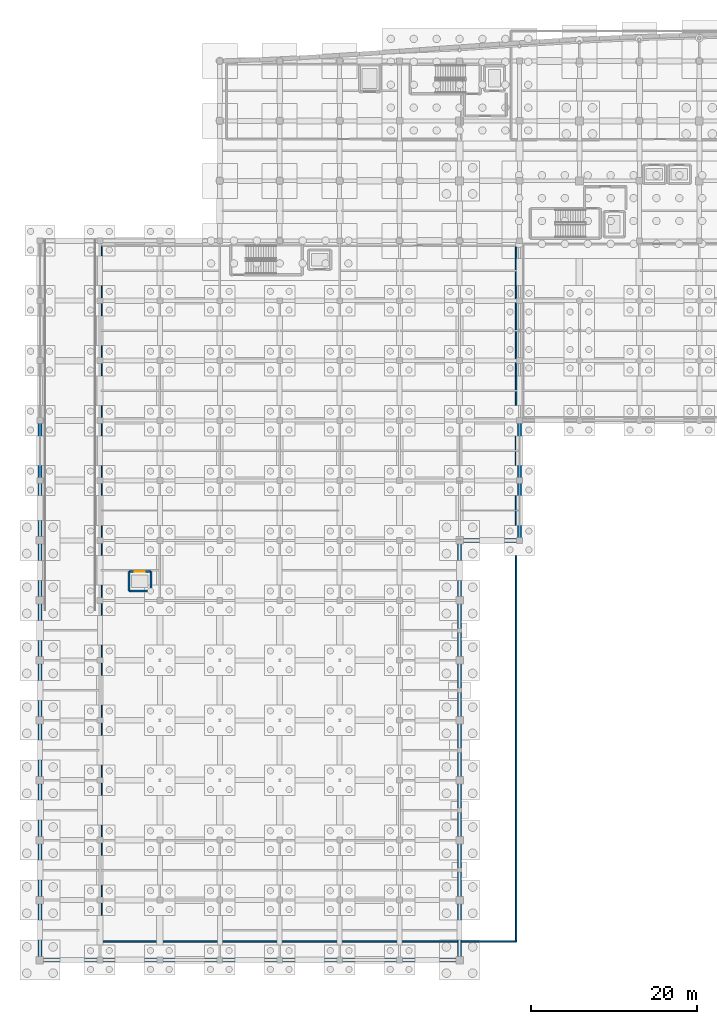
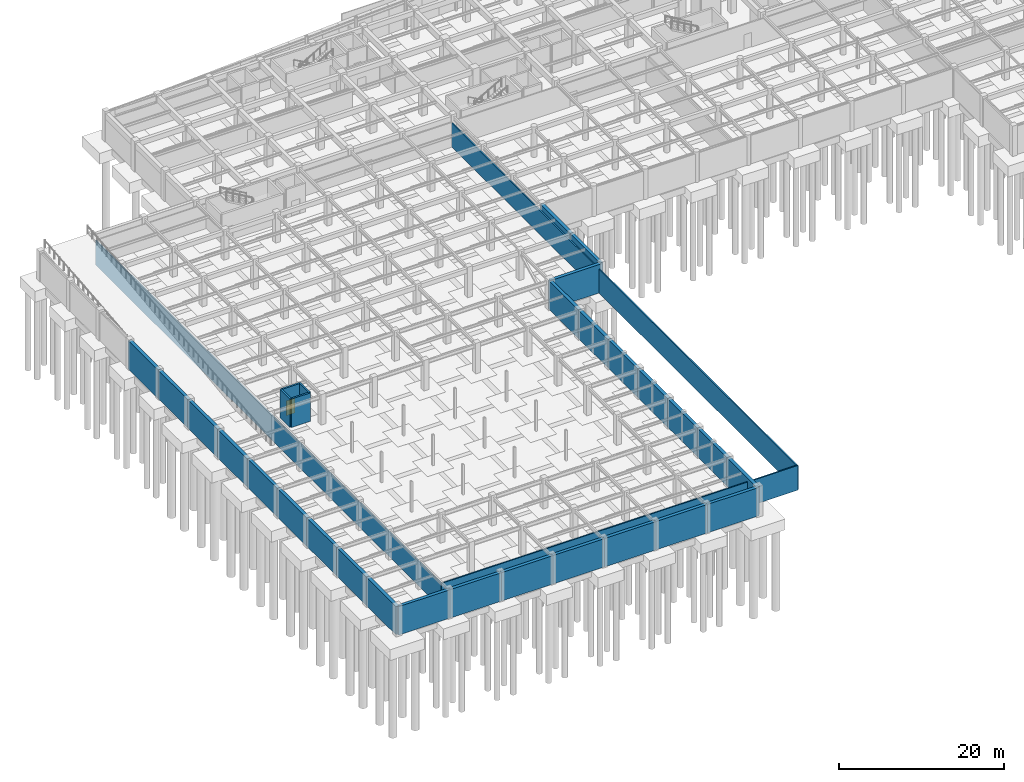
# One storey, part 34 of 48: 33 walls, 1 door, 1 opening.
"""IFC4 building model written with IfcOpenShell, lengths in metres."""

from ifc_helpers import new_model, si_unit, direction, frame, frame_2d, origin, place, context, subcontext, project, spatial, rectangle, extrude, material, layer, layer_set, type_object, element, fill, save


model = new_model("IFC4")

# Units and contexts
model_context = context("Model", 3, precision=1e-05, world=origin(), true_north=direction((0.0, 1.0)))
body_context = subcontext(model_context, "Body", "Model", "MODEL_VIEW")
ifc_project = project(units=[si_unit("LENGTHUNIT", "METRE"), si_unit("AREAUNIT", "SQUARE_METRE"), si_unit("VOLUMEUNIT", "CUBIC_METRE"), si_unit("PLANEANGLEUNIT", "RADIAN"), si_unit("MASSUNIT", "GRAM", prefix="KILO")], contexts=[model_context])

# Site, building, storey
site_placement = place(None, origin())
site = spatial("IfcSite", under=ifc_project, at=site_placement, CompositionType="ELEMENT")
building_placement = place(site_placement, origin())
building = spatial("IfcBuilding", under=site, at=building_placement, Name="Carrowvane Square Congress Hotel", CompositionType="ELEMENT")
storey_placement = place(building_placement, frame((0.0, 0.0, -4.5)))
storey = spatial("IfcBuildingStorey", under=building, at=storey_placement, Name="B01", CompositionType="ELEMENT", Elevation=-4.5)

# Walls
ifc_material_1 = material(Name="Acoustic gypsum board", Category="gypsum")
ifc_layer_1 = layer(ifc_material_1, 0.155029296875)
ifc_layer_set_1 = layer_set([ifc_layer_1], Name="Acoustic gypsum board")
wall_type_1 = type_object("IfcWallType", Name="WL-FIR-155", PredefinedType="PARTITIONING", material=ifc_layer_set_1)
wall_1_placement = place(storey_placement, frame((19.0, 7.60009765625, 0.0), z_axis=(0.0, 0.0, 1.0), x_axis=(0.0, 1.0, 0.0)))
element("IfcWall", 1, at=wall_1_placement, inside=storey, type_object=wall_type_1, Name="B01 Underground Car Park Loop and Bays partition", PredefinedType="PARTITIONING", context=body_context, shape_type="SweptSolid", body=[
    extrude(rectangle(XDim=83.599853515625, YDim=0.155029296875, at=frame_2d((41.7998046875, 0.0))), origin(), (0.0, 0.0, 1.0), 3.648193359375),
])
ifc_material_2 = material(Name="Acoustic gypsum board", Category="gypsum")
ifc_layer_2 = layer(ifc_material_2, 0.169921875)
ifc_layer_set_2 = layer_set([ifc_layer_2], Name="Acoustic gypsum board")
wall_type_2 = type_object("IfcWallType", Name="WL-FIR-170", PredefinedType="PARTITIONING", material=ifc_layer_set_2)
wall_2_placement = place(storey_placement, frame((68.800048828125, 7.60009765625, 0.0), z_axis=(0.0, 0.0, 1.0), x_axis=(-1.0, 0.0, 0.0)))
element("IfcWall", 2, at=wall_2_placement, inside=storey, type_object=wall_type_2, Name="B01 Underground Car Park Loop and Bays partition", PredefinedType="PARTITIONING", context=body_context, shape_type="SweptSolid", body=[
    extrude(rectangle(XDim=49.800048828125, YDim=0.169921875, at=frame_2d((24.89990234375, 0.0))), origin(), (0.0, 0.0, 1.0), 3.648193359375),
])
ifc_material_3 = material(Name="Acoustic gypsum board", Category="gypsum")
ifc_layer_3 = layer(ifc_material_3, 0.18505859375)
ifc_layer_set_3 = layer_set([ifc_layer_3], Name="Acoustic gypsum board")
wall_type_3 = type_object("IfcWallType", Name="WL-FIR-185", PredefinedType="PARTITIONING", material=ifc_layer_set_3)
wall_3_placement = place(storey_placement, frame((68.800048828125, 91.199951171875, 0.0), z_axis=(0.0, 0.0, 1.0), x_axis=(0.0, -1.0, 0.0)))
element("IfcWall", 3, at=wall_3_placement, inside=storey, type_object=wall_type_3, Name="B01 Underground Car Park Loop and Bays partition", PredefinedType="PARTITIONING", context=body_context, shape_type="SweptSolid", body=[
    extrude(rectangle(XDim=83.599853515625, YDim=0.18505859375, at=frame_2d((41.7998046875, 0.0))), origin(), (0.0, 0.0, 1.0), 3.534912109375),
])
ifc_material_4 = material(Name="Concrete C35/45", Category="concrete")
ifc_layer_4 = layer(ifc_material_4, 0.449951171875)
ifc_layer_set_4 = layer_set([ifc_layer_4], Name="Concrete C35/45")
wall_type_4 = type_object("IfcWallType", Name="WL-RET-450", PredefinedType="SOLIDWALL", material=ifc_layer_set_4)
wall_4_placement = place(storey_placement, frame((11.60009765625, 5.39990234375, 0.0), z_axis=(0.0, 0.0, 1.0), x_axis=(0.0, 1.0, 0.0)))
element("IfcWall", 4, at=wall_4_placement, inside=storey, type_object=wall_type_4, Name="B01 perimeter retaining wall 1", PredefinedType="SOLIDWALL", context=body_context, shape_type="SweptSolid", body=[
    extrude(rectangle(XDim=7.2001953125, YDim=0.449951171875, at=frame_2d((3.60009765625, 0.0))), origin(), (0.0, 0.0, 1.0), 4.199951171875),
])
for number, where, z_axis, x_axis, name in (
    (5, (11.60009765625, 12.60009765625, 0.0), (0.0, 0.0, 1.0), (0.0, 1.0, 0.0), "B01 perimeter retaining wall 2"),
    (6, (11.60009765625, 19.800048828125, 0.0), (0.0, 0.0, 1.0), (0.0, 1.0, 0.0), "B01 perimeter retaining wall 3"),
    (7, (11.60009765625, 27.0, 0.0), (0.0, 0.0, 1.0), (0.0, 1.0, 0.0), "B01 perimeter retaining wall 4"),
    (8, (11.60009765625, 34.199951171875, 0.0), (0.0, 0.0, 1.0), (0.0, 1.0, 0.0), "B01 perimeter retaining wall 5"),
):
    element("IfcWall", number, at=place(storey_placement, frame(where, z_axis=z_axis, x_axis=x_axis)), inside=storey, type_object=wall_type_4, Name=name, PredefinedType="SOLIDWALL", context=body_context, shape_type="SweptSolid", body=[
        extrude(rectangle(XDim=7.199951171875, YDim=0.449951171875, at=frame_2d((3.60009765625, 0.0))), origin(), (0.0, 0.0, 1.0), 4.199951171875),
    ])
wall_5_placement = place(storey_placement, frame((11.60009765625, 41.39990234375, 0.0), z_axis=(0.0, 0.0, 1.0), x_axis=(0.0, 1.0, 0.0)))
element("IfcWall", 9, at=wall_5_placement, inside=storey, type_object=wall_type_4, Name="B01 perimeter retaining wall 6", PredefinedType="SOLIDWALL", context=body_context, shape_type="SweptSolid", body=[
    extrude(rectangle(XDim=7.2001953125, YDim=0.449951171875, at=frame_2d((3.60009765625, 0.0))), origin(), (0.0, 0.0, 1.0), 4.199951171875),
])
for number, where, z_axis, x_axis, name in (
    (10, (11.60009765625, 48.60009765625, 0.0), (0.0, 0.0, 1.0), (0.0, 1.0, 0.0), "B01 perimeter retaining wall 7"),
    (11, (11.60009765625, 55.800048828125, 0.0), (0.0, 0.0, 1.0), (0.0, 1.0, 0.0), "B01 perimeter retaining wall 8"),
    (12, (11.60009765625, 63.0, 0.0), (0.0, 0.0, 1.0), (0.0, 1.0, 0.0), "B01 perimeter retaining wall 9"),
    (13, (69.199951171875, 70.199951171875, 0.0), (0.0, 0.0, 1.0), (0.0, -1.0, 0.0), "B01 perimeter retaining wall 116"),
    (14, (69.199951171875, 63.0, 0.0), (0.0, 0.0, 1.0), (0.0, -1.0, 0.0), "B01 perimeter retaining wall 117"),
    (15, (69.199951171875, 55.800048828125, 0.0), (0.0, 0.0, 1.0), (-1.0, 0.0, 0.0), "B01 perimeter retaining wall 118"),
    (16, (62.0, 55.800048828125, 0.0), (0.0, 0.0, 1.0), (0.0, -1.0, 0.0), "B01 perimeter retaining wall 119"),
):
    element("IfcWall", number, at=place(storey_placement, frame(where, z_axis=z_axis, x_axis=x_axis)), inside=storey, type_object=wall_type_4, Name=name, PredefinedType="SOLIDWALL", context=body_context, shape_type="SweptSolid", body=[
        extrude(rectangle(XDim=7.199951171875, YDim=0.449951171875, at=frame_2d((3.60009765625, 0.0))), origin(), (0.0, 0.0, 1.0), 4.199951171875),
    ])
wall_6_placement = place(storey_placement, frame((62.0, 48.60009765625, 0.0), z_axis=(0.0, 0.0, 1.0), x_axis=(0.0, -1.0, 0.0)))
element("IfcWall", 17, at=wall_6_placement, inside=storey, type_object=wall_type_4, Name="B01 perimeter retaining wall 120", PredefinedType="SOLIDWALL", context=body_context, shape_type="SweptSolid", body=[
    extrude(rectangle(XDim=7.2001953125, YDim=0.449951171875, at=frame_2d((3.60009765625, 0.0))), origin(), (0.0, 0.0, 1.0), 4.199951171875),
])
for number, where, z_axis, x_axis, name in (
    (18, (62.0, 41.39990234375, 0.0), (0.0, 0.0, 1.0), (0.0, -1.0, 0.0), "B01 perimeter retaining wall 121"),
    (19, (62.0, 34.199951171875, 0.0), (0.0, 0.0, 1.0), (0.0, -1.0, 0.0), "B01 perimeter retaining wall 122"),
    (20, (62.0, 27.0, 0.0), (0.0, 0.0, 1.0), (0.0, -1.0, 0.0), "B01 perimeter retaining wall 123"),
    (21, (62.0, 19.800048828125, 0.0), (0.0, 0.0, 1.0), (0.0, -1.0, 0.0), "B01 perimeter retaining wall 124"),
):
    element("IfcWall", number, at=place(storey_placement, frame(where, z_axis=z_axis, x_axis=x_axis)), inside=storey, type_object=wall_type_4, Name=name, PredefinedType="SOLIDWALL", context=body_context, shape_type="SweptSolid", body=[
        extrude(rectangle(XDim=7.199951171875, YDim=0.449951171875, at=frame_2d((3.60009765625, 0.0))), origin(), (0.0, 0.0, 1.0), 4.199951171875),
    ])
wall_7_placement = place(storey_placement, frame((62.0, 12.60009765625, 0.0), z_axis=(0.0, 0.0, 1.0), x_axis=(0.0, -1.0, 0.0)))
element("IfcWall", 22, at=wall_7_placement, inside=storey, type_object=wall_type_4, Name="B01 perimeter retaining wall 125", PredefinedType="SOLIDWALL", context=body_context, shape_type="SweptSolid", body=[
    extrude(rectangle(XDim=7.2001953125, YDim=0.449951171875, at=frame_2d((3.60009765625, 0.0))), origin(), (0.0, 0.0, 1.0), 4.199951171875),
])
for number, where, z_axis, x_axis, name in (
    (23, (62.0, 5.39990234375, 0.0), (0.0, 0.0, 1.0), (-1.0, 0.0, 0.0), "B01 perimeter retaining wall 126"),
    (24, (54.800048828125, 5.39990234375, 0.0), (0.0, 0.0, 1.0), (-1.0, 0.0, 0.0), "B01 perimeter retaining wall 127"),
):
    element("IfcWall", number, at=place(storey_placement, frame(where, z_axis=z_axis, x_axis=x_axis)), inside=storey, type_object=wall_type_4, Name=name, PredefinedType="SOLIDWALL", context=body_context, shape_type="SweptSolid", body=[
        extrude(rectangle(XDim=7.199951171875, YDim=0.449951171875, at=frame_2d((3.60009765625, 0.0))), origin(), (0.0, 0.0, 1.0), 4.199951171875),
    ])
wall_8_placement = place(storey_placement, frame((47.60009765625, 5.39990234375, 0.0), z_axis=(0.0, 0.0, 1.0), x_axis=(-1.0, 0.0, 0.0)))
element("IfcWall", 25, at=wall_8_placement, inside=storey, type_object=wall_type_4, Name="B01 perimeter retaining wall 128", PredefinedType="SOLIDWALL", context=body_context, shape_type="SweptSolid", body=[
    extrude(rectangle(XDim=7.2001953125, YDim=0.449951171875, at=frame_2d((3.60009765625, 0.0))), origin(), (0.0, 0.0, 1.0), 4.199951171875),
])
for number, where, z_axis, x_axis, name in (
    (26, (40.39990234375, 5.39990234375, 0.0), (0.0, 0.0, 1.0), (-1.0, 0.0, 0.0), "B01 perimeter retaining wall 129"),
    (27, (33.199951171875, 5.39990234375, 0.0), (0.0, 0.0, 1.0), (-1.0, 0.0, 0.0), "B01 perimeter retaining wall 130"),
    (28, (26.0, 5.39990234375, 0.0), (0.0, 0.0, 1.0), (-1.0, 0.0, 0.0), "B01 perimeter retaining wall 131"),
    (29, (18.800048828125, 5.39990234375, 0.0), (0.0, 0.0, 1.0), (-1.0, 0.0, 0.0), "B01 perimeter retaining wall 132"),
):
    element("IfcWall", number, at=place(storey_placement, frame(where, z_axis=z_axis, x_axis=x_axis)), inside=storey, type_object=wall_type_4, Name=name, PredefinedType="SOLIDWALL", context=body_context, shape_type="SweptSolid", body=[
        extrude(rectangle(XDim=7.199951171875, YDim=0.449951171875, at=frame_2d((3.60009765625, 0.0))), origin(), (0.0, 0.0, 1.0), 4.199951171875),
    ])
ifc_material_5 = material(Name="Concrete C40/50", Category="concrete")
ifc_layer_5 = layer(ifc_material_5, 0.25)
ifc_layer_set_5 = layer_set([ifc_layer_5], Name="Concrete C40/50")
wall_type_5 = type_object("IfcWallType", Name="WL-SHR-250", PredefinedType="SHEAR", material=ifc_layer_set_5)
wall_9_placement = place(storey_placement, frame((22.27490234375, 49.72509765625, 0.0), z_axis=(0.0, 0.0, 1.0), x_axis=(1.0, 0.0, 0.0)))
element("IfcWall", 30, at=wall_9_placement, inside=storey, type_object=wall_type_5, Name="B01 CL-1 shaft wall south", PredefinedType="SHEAR", context=body_context, shape_type="SweptSolid", body=[
    extrude(rectangle(XDim=2.650146484375, YDim=0.25, at=frame_2d((1.3251953125, 0.0))), origin(), (0.0, 0.0, 1.0), 4.199951171875),
])
wall_10_placement = place(storey_placement, frame((24.925048828125, 49.72509765625, 0.0), z_axis=(0.0, 0.0, 1.0), x_axis=(0.0, 1.0, 0.0)))
element("IfcWall", 31, at=wall_10_placement, inside=storey, type_object=wall_type_5, Name="B01 CL-1 shaft wall east", PredefinedType="SHEAR", context=body_context, shape_type="SweptSolid", body=[
    extrude(rectangle(XDim=2.349853515625, YDim=0.25, at=frame_2d((1.1748046875, 0.0))), origin(), (0.0, 0.0, 1.0), 4.199951171875),
])

# Wall, opening, door
wall_11_placement = place(storey_placement, frame((24.925048828125, 52.074951171875, 0.0), z_axis=(0.0, 0.0, 1.0), x_axis=(-1.0, 0.0, 0.0)))
wall_11 = element("IfcWall", 32, at=wall_11_placement, inside=storey, type_object=wall_type_5, Name="B01 CL-1 shaft wall north", PredefinedType="SHEAR", context=body_context, shape_type="SweptSolid", body=[
    extrude(rectangle(XDim=2.650146484375, YDim=0.25, at=frame_2d((1.3251953125, 0.0))), origin(), (0.0, 0.0, 1.0), 4.199951171875),
])
opening_placement = place(wall_11_placement, frame((0.72509765625, 0.0, 0.0)))
opening = element("IfcOpeningElement", 33, at=opening_placement, cuts=wall_11, Name="Opening LD-CL-1", PredefinedType="OPENING", context=body_context, shape_type="SweptSolid", body=[
    extrude(rectangle(XDim=1.199951171875, YDim=2.199951171875, at=frame_2d((0.60009765625, 1.10009765625))), frame((0.0, 0.135009765625, 0.0), z_axis=(0.0, -1.0, 0.0), x_axis=(1.0, 0.0, 0.0)), (0.0, 0.0, 1.0), 0.27001953125),
])
ifc_material_6 = material(Name="Stainless steel 316", Category="steel")
door_type = type_object("IfcDoorType", Name="DR-LD-1200x2200", OperationType="DOUBLE_DOOR_SLIDING", PredefinedType="DOOR", material=ifc_material_6)
door_placement = place(opening_placement, origin())
door = element("IfcDoor", 34, at=door_placement, inside=storey, type_object=door_type, Name="B01 CL-1 sliding lift landing door", OperationType="DOUBLE_DOOR_SLIDING", OverallHeight=2.199951171875, OverallWidth=1.199951171875, PredefinedType="DOOR", context=body_context, shape_type="SweptSolid", body=[
    extrude(rectangle(XDim=1.199951171875, YDim=2.199951171875, at=frame_2d((0.60009765625, 1.10009765625))), frame((0.0, 0.02490234375, 0.0), z_axis=(0.0, -1.0, 0.0), x_axis=(1.0, 0.0, 0.0)), (0.0, 0.0, 1.0), 0.050048828125),
])
fill(opening, door)

# Wall
wall_12_placement = place(storey_placement, frame((22.27490234375, 52.074951171875, 0.0), z_axis=(0.0, 0.0, 1.0), x_axis=(0.0, -1.0, 0.0)))
element("IfcWall", 35, at=wall_12_placement, inside=storey, type_object=wall_type_5, Name="B01 CL-1 shaft wall west", PredefinedType="SHEAR", context=body_context, shape_type="SweptSolid", body=[
    extrude(rectangle(XDim=2.349853515625, YDim=0.25, at=frame_2d((1.1748046875, 0.0))), origin(), (0.0, 0.0, 1.0), 4.199951171875),
])

save(model, "model.ifc")
